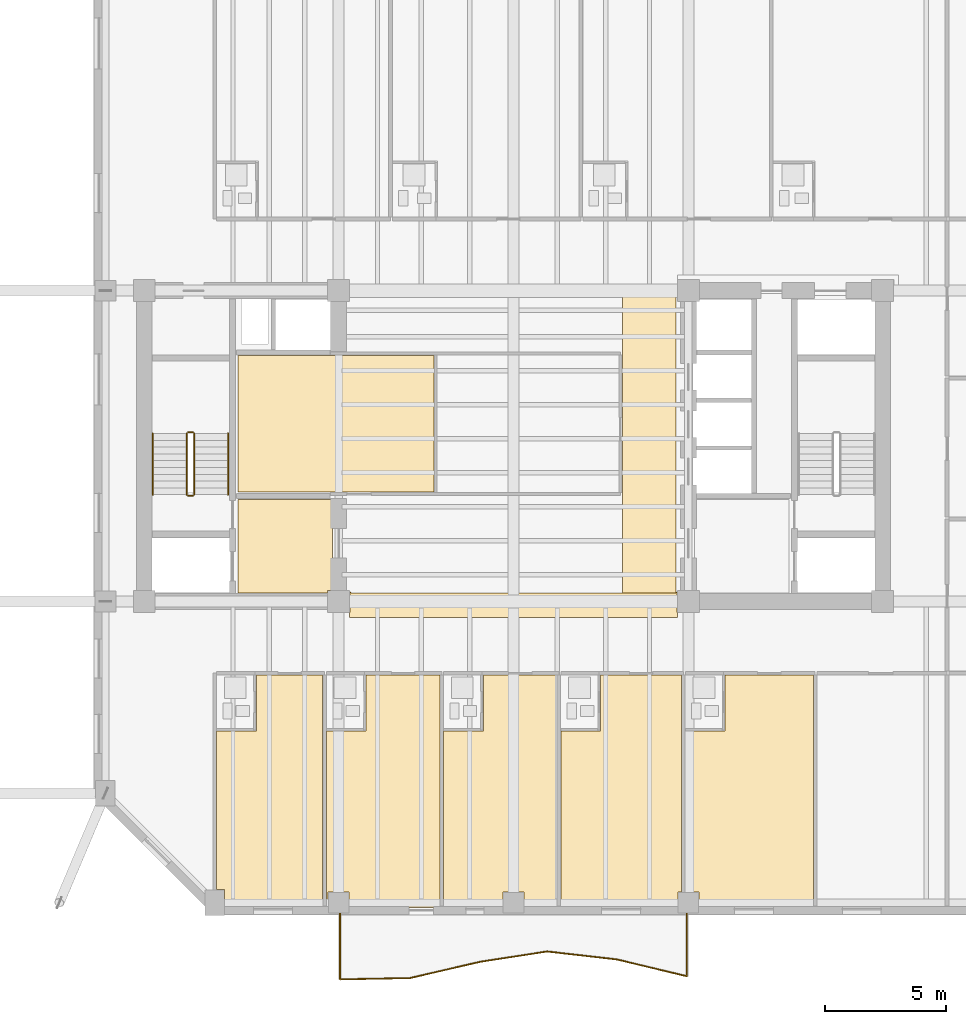
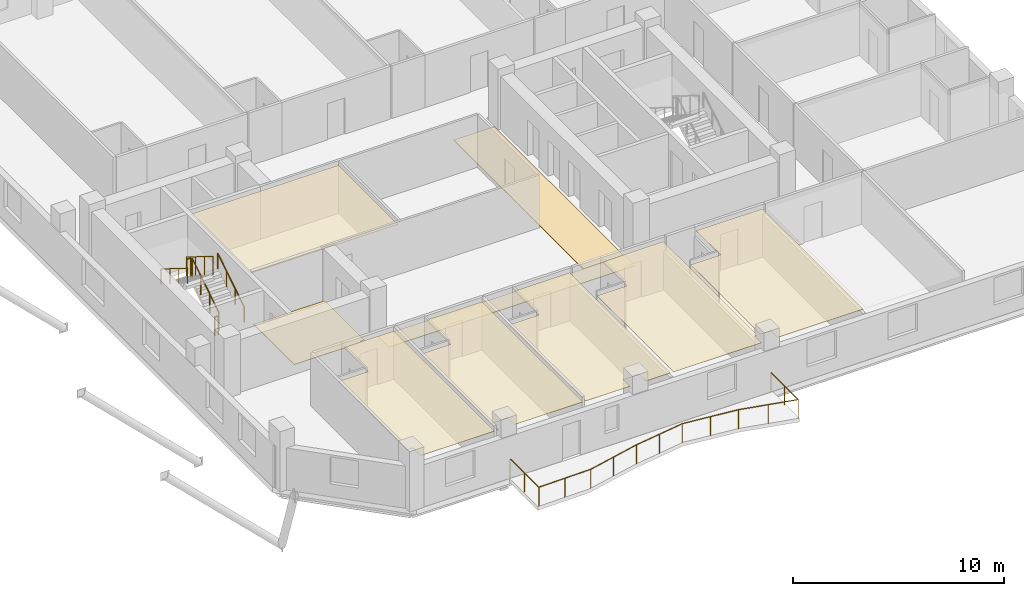
# One storey, part 10 of 13: 9 coverings, 7 railings.
"""IFC4 building model written with IfcOpenShell, lengths in metres."""

from ifc_helpers import new_model, si_unit, direction, frame, origin, origin_2d, place, context, subcontext, project, spatial, polyline, circle, outline, extrude, material, layer, layer_set, type_object, element, save


model = new_model("IFC4")

# Units and contexts
model_context = context("Model", 3, precision=1e-05, world=origin(), true_north=direction((0.0, 1.0)))
body_context = subcontext(model_context, "Body", "Model", "MODEL_VIEW")
ifc_project = project(units=[si_unit("LENGTHUNIT", "METRE"), si_unit("AREAUNIT", "SQUARE_METRE"), si_unit("VOLUMEUNIT", "CUBIC_METRE"), si_unit("PLANEANGLEUNIT", "RADIAN"), si_unit("MASSUNIT", "GRAM", prefix="KILO")], contexts=[model_context])

# Site, building, storey
site_placement = place(None, origin())
site = spatial("IfcSite", under=ifc_project, at=site_placement, CompositionType="ELEMENT")
building_placement = place(site_placement, origin())
building = spatial("IfcBuilding", under=site, at=building_placement, Name="Kranthara Brick Stack", CompositionType="ELEMENT")
storey_placement = place(building_placement, frame((0.0, 0.0, 179.800048828125)))
storey = spatial("IfcBuildingStorey", under=building, at=storey_placement, Name="L46", CompositionType="ELEMENT", Elevation=179.800048828125)

# Coverings
ifc_material_1 = material(Name="Perforated mineral-fibre acoustic ceiling tile", Category="other")
ifc_layer_1 = layer(ifc_material_1, 0.02490234375)
ifc_layer_set_1 = layer_set([ifc_layer_1], Name="Perforated mineral-fibre acoustic ceiling tile")
covering_type_1 = type_object("IfcCoveringType", Name="COV-CEIL-ACOUSTIC", PredefinedType="CEILING", material=ifc_layer_set_1)
covering_1_placement = place(storey_placement, frame((0.0, 0.0, 2.780029296875)))
element("IfcCovering", 1, at=covering_1_placement, inside=storey, type_object=covering_type_1, Name="L46 L46 Hotel Club Reading Lounge Acoustic Ceiling", PredefinedType="CEILING", context=body_context, shape_type="SweptSolid", body=[
    extrude(outline(polyline([(24.719970703125, 25.300048828125), (24.719970703125, 30.93994140625), (16.64990234375, 30.93994140625), (16.64990234375, 25.300048828125), (24.719970703125, 25.300048828125)])), origin(), (0.0, 0.0, 1.0), 0.02490234375),
])
covering_2_placement = place(storey_placement, frame((0.0, 0.0, 2.780029296875)))
element("IfcCovering", 2, at=covering_2_placement, inside=storey, type_object=covering_type_1, Name="L46 Room L46-01 Hotel Guest Room Acoustic Ceiling", PredefinedType="CEILING", context=body_context, shape_type="SweptSolid", body=[
    extrude(outline(polyline([(15.780029296875, 15.4599609375), (17.409912109375, 15.4599609375), (17.409912109375, 17.77001953125), (20.14306640625, 17.77001953125), (20.14306640625, 8.199951171875), (16.110107421875, 8.199951171875), (16.110107421875, 8.93505859375), (15.780029296875, 8.93505859375), (15.780029296875, 15.4599609375)])), origin(), (0.0, 0.0, 1.0), 0.02490234375),
])
covering_3_placement = place(storey_placement, frame((0.0, 0.0, 2.780029296875)))
element("IfcCovering", 3, at=covering_3_placement, inside=storey, type_object=covering_type_1, Name="L46 Room L46-02 Hotel Guest Room Acoustic Ceiling", PredefinedType="CEILING", context=body_context, shape_type="SweptSolid", body=[
    extrude(outline(polyline([(20.302978515625, 8.199951171875), (20.302978515625, 15.4599609375), (21.93310546875, 15.4599609375), (21.93310546875, 17.77001953125), (24.967041015625, 17.77001953125), (24.967041015625, 8.199951171875), (21.235107421875, 8.199951171875), (21.235107421875, 8.8349609375), (20.364990234375, 8.8349609375), (20.364990234375, 8.199951171875), (20.302978515625, 8.199951171875)])), origin(), (0.0, 0.0, 1.0), 0.02490234375),
])
covering_4_placement = place(storey_placement, frame((0.0, 0.0, 2.780029296875)))
element("IfcCovering", 4, at=covering_4_placement, inside=storey, type_object=covering_type_1, Name="L46 Room L46-03 Hotel Guest Room Acoustic Ceiling", PredefinedType="CEILING", context=body_context, shape_type="SweptSolid", body=[
    extrude(outline(polyline([(25.126953125, 8.199951171875), (25.126953125, 15.4599609375), (26.757080078125, 15.4599609375), (26.757080078125, 17.77001953125), (29.7900390625, 17.77001953125), (29.7900390625, 8.199951171875), (28.43505859375, 8.199951171875), (28.43505859375, 8.8349609375), (27.56494140625, 8.8349609375), (27.56494140625, 8.199951171875), (25.126953125, 8.199951171875)])), origin(), (0.0, 0.0, 1.0), 0.02490234375),
])
covering_5_placement = place(storey_placement, frame((0.0, 0.0, 2.780029296875)))
element("IfcCovering", 5, at=covering_5_placement, inside=storey, type_object=covering_type_1, Name="L46 Room L46-04 Hotel Guest Room Acoustic Ceiling", PredefinedType="CEILING", context=body_context, shape_type="SweptSolid", body=[
    extrude(outline(polyline([(29.949951171875, 8.199951171875), (29.949951171875, 15.4599609375), (31.580078125, 15.4599609375), (31.580078125, 17.77001953125), (34.916015625, 17.77001953125), (34.916015625, 8.8349609375), (34.764892578125, 8.8349609375), (34.764892578125, 8.199951171875), (29.949951171875, 8.199951171875)])), origin(), (0.0, 0.0, 1.0), 0.02490234375),
])
covering_6_placement = place(storey_placement, frame((0.0, 0.0, 2.780029296875)))
element("IfcCovering", 6, at=covering_6_placement, inside=storey, type_object=covering_type_1, Name="L46 Room L46-05 Hotel Guest Room Acoustic Ceiling", PredefinedType="CEILING", context=body_context, shape_type="SweptSolid", body=[
    extrude(outline(polyline([(35.075927734375, 15.4599609375), (36.7060546875, 15.4599609375), (36.7060546875, 17.77001953125), (40.343017578125, 17.77001953125), (40.343017578125, 8.199951171875), (35.635009765625, 8.199951171875), (35.635009765625, 8.8349609375), (35.075927734375, 8.8349609375), (35.075927734375, 15.4599609375)])), origin(), (0.0, 0.0, 1.0), 0.02490234375),
])
ifc_material_2 = material(Name="Honed terrazzo and porcelain floor finish", Category="stone")
ifc_layer_2 = layer(ifc_material_2, 0.030029296875)
ifc_layer_set_2 = layer_set([ifc_layer_2], Name="Honed terrazzo and porcelain floor finish")
covering_type_2 = type_object("IfcCoveringType", Name="COV-FLOR-STONE", PredefinedType="FLOORING", material=ifc_layer_set_2)
covering_7_placement = place(storey_placement, origin())
element("IfcCovering", 7, at=covering_7_placement, inside=storey, type_object=covering_type_2, Name="L46 Lift Lobby Stone Flooring", PredefinedType="FLOORING", context=body_context, shape_type="SweptSolid", body=[
    extrude(outline(polyline([(16.64990234375, 21.14990234375), (16.64990234375, 25.0), (20.550048828125, 25.0), (20.550048828125, 21.260009765625), (20.340087890625, 21.260009765625), (20.340087890625, 21.14990234375), (16.64990234375, 21.14990234375)])), origin(), (0.0, 0.0, 1.0), 0.030029296875),
])
covering_8_placement = place(storey_placement, origin())
element("IfcCovering", 8, at=covering_8_placement, inside=storey, type_object=covering_type_2, Name="L46 Lift Lobby Stone Flooring", PredefinedType="FLOORING", context=body_context, shape_type="SweptSolid", body=[
    extrude(outline(polyline([(34.699951171875, 21.14990234375), (34.699951171875, 33.449951171875), (32.47998046875, 33.449951171875), (32.47998046875, 21.14990234375), (34.699951171875, 21.14990234375)])), origin(), (0.0, 0.0, 1.0), 0.030029296875),
])
covering_9_placement = place(storey_placement, origin())
element("IfcCovering", 9, at=covering_9_placement, inside=storey, type_object=covering_type_2, Name="L46 Lift Lobby Stone Flooring", PredefinedType="FLOORING", context=body_context, shape_type="SweptSolid", body=[
    extrude(outline(polyline([(21.25, 20.340087890625), (21.260009765625, 20.340087890625), (21.260009765625, 21.199951171875), (21.300048828125, 21.199951171875), (21.300048828125, 21.14990234375), (32.47998046875, 21.14990234375), (34.699951171875, 21.14990234375), (34.699951171875, 21.199951171875), (34.739990234375, 21.199951171875), (34.739990234375, 20.340087890625), (34.75, 20.340087890625), (34.75, 20.14990234375), (21.25, 20.14990234375), (21.25, 20.340087890625)])), origin(), (0.0, 0.0, 1.0), 0.030029296875),
])

# Railings
ifc_material_3 = material(Name="Bronze anodised aluminium and laminated glass balustrade", Category="aluminium")
railing_type_1 = type_object("IfcRailingType", Name="RL-BALC-1120", PredefinedType="BALUSTRADE", material=ifc_material_3)
railing_1_placement = place(storey_placement, frame((35.139892578125, 7.9599609375, 0.0)))
element("IfcRailing", 10, at=railing_1_placement, inside=storey, type_object=railing_type_1, Name="L46 South Rippling Balcony Balustrade", PredefinedType="BALUSTRADE", context=body_context, shape_type="SweptSolid", body=[
    extrude(circle(Radius=0.02392578125, at=origin_2d()), frame((0.0, 0.0, 1.09619140625), z_axis=(0.000188661444, -0.999999982203, 0.0), x_axis=(0.999999982203, 0.000188661444, 0.0)), (0.0, 0.0, 1.0), 2.588134765625),
    extrude(circle(Radius=0.02392578125, at=origin_2d()), frame((0.00048828125, -2.588134765625, 1.09619140625), z_axis=(-0.972397027004, 0.233332427822, 0.0), x_axis=(-0.233332427822, -0.972397027004, 0.0)), (0.0, 0.0, 1.0), 2.962158203125),
    extrude(circle(Radius=0.02392578125, at=origin_2d()), frame((-2.8798828125, -1.89697265625, 1.09619140625), z_axis=(-0.993551664215, 0.113380291652, 0.0), x_axis=(-0.113380291652, -0.993551664215, 0.0)), (0.0, 0.0, 1.0), 2.8984375),
    extrude(circle(Radius=0.02392578125, at=origin_2d()), frame((-5.759521484375, -1.568359375, 1.09619140625), z_axis=(-0.988244095231, -0.152884296911, 0.0), x_axis=(0.152884296911, -0.988244095231, 0.0)), (0.0, 0.0, 1.0), 2.794677734375),
    extrude(circle(Radius=0.02392578125, at=origin_2d()), frame((-8.521240234375, -1.99560546875, 1.09619140625), z_axis=(-0.974198771647, -0.225691721871, 0.0), x_axis=(0.225691721871, -0.974198771647, 0.0)), (0.0, 0.0, 1.0), 2.956298828125),
    extrude(circle(Radius=0.02392578125, at=origin_2d()), frame((-11.4013671875, -2.662841796875, 1.09619140625), z_axis=(-0.999818043365, -0.019075643158, 0.0), x_axis=(0.019075643158, -0.999818043365, 0.0)), (0.0, 0.0, 1.0), 2.879638671875),
    extrude(circle(Radius=0.02392578125, at=origin_2d()), frame((-14.280517578125, -2.7177734375, 1.09619140625), z_axis=(0.000269493343, 0.999999963687, 0.0), x_axis=(-0.999999963687, 0.000269493343, 0.0)), (0.0, 0.0, 1.0), 2.7177734375),
    extrude(circle(Radius=0.02099609375, at=origin_2d()), origin(), (0.0, 0.0, 1.0), 1.072021484375),
    extrude(circle(Radius=0.02099609375, at=origin_2d()), frame((0.000244140625, -1.2939453125, 0.0)), (0.0, 0.0, 1.0), 1.072021484375),
    extrude(circle(Radius=0.02099609375, at=origin_2d()), frame((0.00048828125, -2.588134765625, 0.0)), (0.0, 0.0, 1.0), 1.072021484375),
    extrude(circle(Radius=0.02099609375, at=origin_2d()), frame((-1.439697265625, -2.24267578125, 0.0)), (0.0, 0.0, 1.0), 1.072021484375),
    extrude(circle(Radius=0.02099609375, at=origin_2d()), frame((-2.8798828125, -1.89697265625, 0.0)), (0.0, 0.0, 1.0), 1.072021484375),
    extrude(circle(Radius=0.02099609375, at=origin_2d()), frame((-4.31982421875, -1.732666015625, 0.0)), (0.0, 0.0, 1.0), 1.072021484375),
    extrude(circle(Radius=0.02099609375, at=origin_2d()), frame((-5.759521484375, -1.568359375, 0.0)), (0.0, 0.0, 1.0), 1.072021484375),
    extrude(circle(Radius=0.02099609375, at=origin_2d()), frame((-7.140380859375, -1.781982421875, 0.0)), (0.0, 0.0, 1.0), 1.072021484375),
    extrude(circle(Radius=0.02099609375, at=origin_2d()), frame((-8.521240234375, -1.99560546875, 0.0)), (0.0, 0.0, 1.0), 1.072021484375),
    extrude(circle(Radius=0.02099609375, at=origin_2d()), frame((-9.96142578125, -2.3291015625, 0.0)), (0.0, 0.0, 1.0), 1.072021484375),
    extrude(circle(Radius=0.02099609375, at=origin_2d()), frame((-11.4013671875, -2.662841796875, 0.0)), (0.0, 0.0, 1.0), 1.072021484375),
    extrude(circle(Radius=0.02099609375, at=origin_2d()), frame((-12.8408203125, -2.6904296875, 0.0)), (0.0, 0.0, 1.0), 1.072021484375),
    extrude(circle(Radius=0.02099609375, at=origin_2d()), frame((-14.280517578125, -2.7177734375, 0.0)), (0.0, 0.0, 1.0), 1.072021484375),
    extrude(circle(Radius=0.02099609375, at=origin_2d()), frame((-14.2802734375, -1.35888671875, 0.0)), (0.0, 0.0, 1.0), 1.072021484375),
    extrude(circle(Radius=0.02099609375, at=origin_2d()), frame((-14.27978515625, 0.0, 0.0)), (0.0, 0.0, 1.0), 1.072021484375),
])
ifc_material_4 = material(Name="Painted galvanized steel stair guardrail", Category="steel")
railing_type_2 = type_object("IfcRailingType", Name="RL-STAIR-GUARD-1100", PredefinedType="GUARDRAIL", material=ifc_material_4)
railing_2_placement = place(storey_placement, frame((14.85009765625, 25.199951171875, 0.175048828125)))
element("IfcRailing", 11, at=railing_2_placement, inside=storey, type_object=railing_type_2, Name="L46 ST01 stair guard 1", PredefinedType="GUARDRAIL", context=body_context, shape_type="SweptSolid", body=[
    extrude(circle(Radius=0.02392578125, at=origin_2d()), frame((0.0, 0.0, 1.076171875), z_axis=(0.0, 0.848007534815, 0.529984170421), x_axis=(-1.0, 0.0, 0.0)), (0.0, 0.0, 1.0), 2.9716796875),
    extrude(circle(Radius=0.02099609375, at=origin_2d()), origin(), (0.0, 0.0, 1.0), 1.052001953125),
    extrude(circle(Radius=0.02099609375, at=origin_2d()), frame((0.0, 0.840087890625, 0.52490234375)), (0.0, 0.0, 1.0), 1.052001953125),
    extrude(circle(Radius=0.02099609375, at=origin_2d()), frame((0.0, 1.679931640625, 1.050048828125)), (0.0, 0.0, 1.0), 1.052001953125),
    extrude(circle(Radius=0.02099609375, at=origin_2d()), frame((0.0, 2.52001953125, 1.574951171875)), (0.0, 0.0, 1.0), 1.052001953125),
])
railing_3_placement = place(storey_placement, frame((14.800048828125, 27.77001953125, 1.75)))
element("IfcRailing", 12, at=railing_3_placement, inside=storey, type_object=railing_type_2, Name="L46 ST01 stair guard 2", PredefinedType="GUARDRAIL", context=body_context, shape_type="SweptSolid", body=[
    extrude(circle(Radius=0.02392578125, at=origin_2d()), frame((0.0, 0.0, 1.076171875), z_axis=(-1.0, 0.0, 0.0), x_axis=(0.0, -1.0, 0.0)), (0.0, 0.0, 1.0), 0.199951171875),
    extrude(circle(Radius=0.02099609375, at=origin_2d()), origin(), (0.0, 0.0, 1.0), 1.052001953125),
    extrude(circle(Radius=0.02099609375, at=origin_2d()), frame((-0.199951171875, 0.0, 0.0)), (0.0, 0.0, 1.0), 1.052001953125),
])
railing_4_placement = place(storey_placement, frame((14.550048828125, 27.719970703125, 1.925048828125)))
element("IfcRailing", 13, at=railing_4_placement, inside=storey, type_object=railing_type_2, Name="L46 ST01 stair guard 3", PredefinedType="GUARDRAIL", context=body_context, shape_type="SweptSolid", body=[
    extrude(circle(Radius=0.02392578125, at=origin_2d()), frame((0.0, 0.0, 1.076171875), z_axis=(0.0, -0.848007534815, 0.529984170421), x_axis=(1.0, 0.0, 0.0)), (0.0, 0.0, 1.0), 2.9716796875),
    extrude(circle(Radius=0.02099609375, at=origin_2d()), origin(), (0.0, 0.0, 1.0), 1.052001953125),
    extrude(circle(Radius=0.02099609375, at=origin_2d()), frame((0.0, -0.840087890625, 0.52490234375)), (0.0, 0.0, 1.0), 1.052001953125),
    extrude(circle(Radius=0.02099609375, at=origin_2d()), frame((0.0, -1.679931640625, 1.050048828125)), (0.0, 0.0, 1.0), 1.052001953125),
    extrude(circle(Radius=0.02099609375, at=origin_2d()), frame((0.0, -2.52001953125, 1.574951171875)), (0.0, 0.0, 1.0), 1.052001953125),
])
railing_5_placement = place(storey_placement, frame((14.800048828125, 25.14990234375, 0.0)))
element("IfcRailing", 14, at=railing_5_placement, inside=storey, type_object=railing_type_2, Name="L46 ST01 stair guard 4", PredefinedType="GUARDRAIL", context=body_context, shape_type="SweptSolid", body=[
    extrude(circle(Radius=0.02392578125, at=origin_2d()), frame((0.0, 0.0, 1.076171875), z_axis=(-1.0, 0.0, 0.0), x_axis=(0.0, -1.0, 0.0)), (0.0, 0.0, 1.0), 0.199951171875),
    extrude(circle(Radius=0.02099609375, at=origin_2d()), origin(), (0.0, 0.0, 1.0), 1.052001953125),
    extrude(circle(Radius=0.02099609375, at=origin_2d()), frame((-0.199951171875, 0.0, 0.0)), (0.0, 0.0, 1.0), 1.052001953125),
])
ifc_material_5 = material(Name="Brushed stainless steel tubular handrail", Category="steel")
railing_type_3 = type_object("IfcRailingType", Name="RL-STAIR-HAND-900", PredefinedType="HANDRAIL", material=ifc_material_5)
railing_6_placement = place(storey_placement, frame((16.25, 25.199951171875, 0.175048828125)))
element("IfcRailing", 15, at=railing_6_placement, inside=storey, type_object=railing_type_3, Name="L46 ST01 stair handrail 1", PredefinedType="HANDRAIL", context=body_context, shape_type="SweptSolid", body=[
    extrude(circle(Radius=0.02392578125, at=origin_2d()), frame((0.0, 0.0, 0.8759765625), z_axis=(0.0, 0.848007534815, 0.529984170421), x_axis=(-1.0, 0.0, 0.0)), (0.0, 0.0, 1.0), 2.9716796875),
    extrude(circle(Radius=0.02099609375, at=origin_2d()), origin(), (0.0, 0.0, 1.0), 0.851806640625),
    extrude(circle(Radius=0.02099609375, at=origin_2d()), frame((0.0, 0.840087890625, 0.52490234375)), (0.0, 0.0, 1.0), 0.851806640625),
    extrude(circle(Radius=0.02099609375, at=origin_2d()), frame((0.0, 1.679931640625, 1.050048828125)), (0.0, 0.0, 1.0), 0.851806640625),
    extrude(circle(Radius=0.02099609375, at=origin_2d()), frame((0.0, 2.52001953125, 1.574951171875)), (0.0, 0.0, 1.0), 0.851806640625),
])
railing_7_placement = place(storey_placement, frame((13.14990234375, 27.719970703125, 1.925048828125)))
element("IfcRailing", 16, at=railing_7_placement, inside=storey, type_object=railing_type_3, Name="L46 ST01 stair handrail 2", PredefinedType="HANDRAIL", context=body_context, shape_type="SweptSolid", body=[
    extrude(circle(Radius=0.02392578125, at=origin_2d()), frame((0.0, 0.0, 0.8759765625), z_axis=(0.0, -0.848007534815, 0.529984170421), x_axis=(1.0, 0.0, 0.0)), (0.0, 0.0, 1.0), 2.9716796875),
    extrude(circle(Radius=0.02099609375, at=origin_2d()), origin(), (0.0, 0.0, 1.0), 0.851806640625),
    extrude(circle(Radius=0.02099609375, at=origin_2d()), frame((0.0, -0.840087890625, 0.52490234375)), (0.0, 0.0, 1.0), 0.851806640625),
    extrude(circle(Radius=0.02099609375, at=origin_2d()), frame((0.0, -1.679931640625, 1.050048828125)), (0.0, 0.0, 1.0), 0.851806640625),
    extrude(circle(Radius=0.02099609375, at=origin_2d()), frame((0.0, -2.52001953125, 1.574951171875)), (0.0, 0.0, 1.0), 0.851806640625),
])

save(model, "model.ifc")
